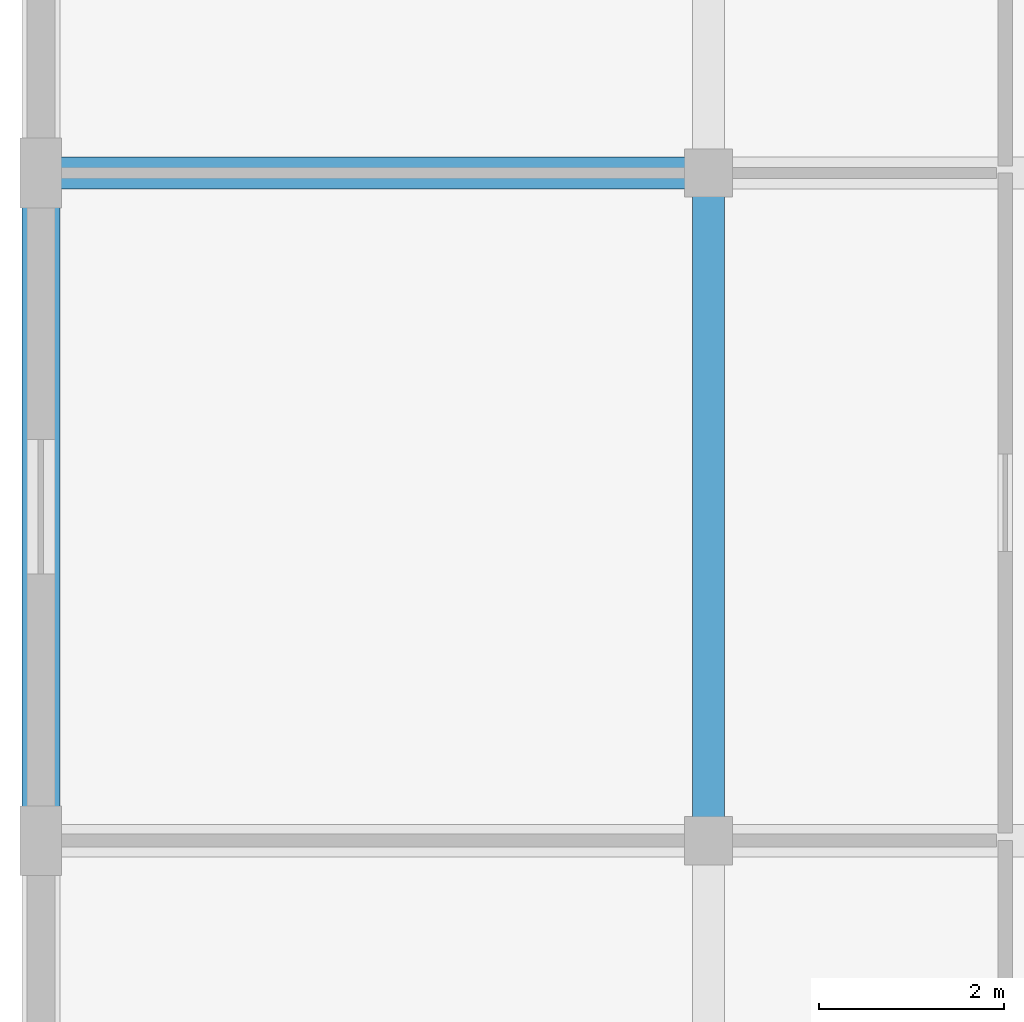
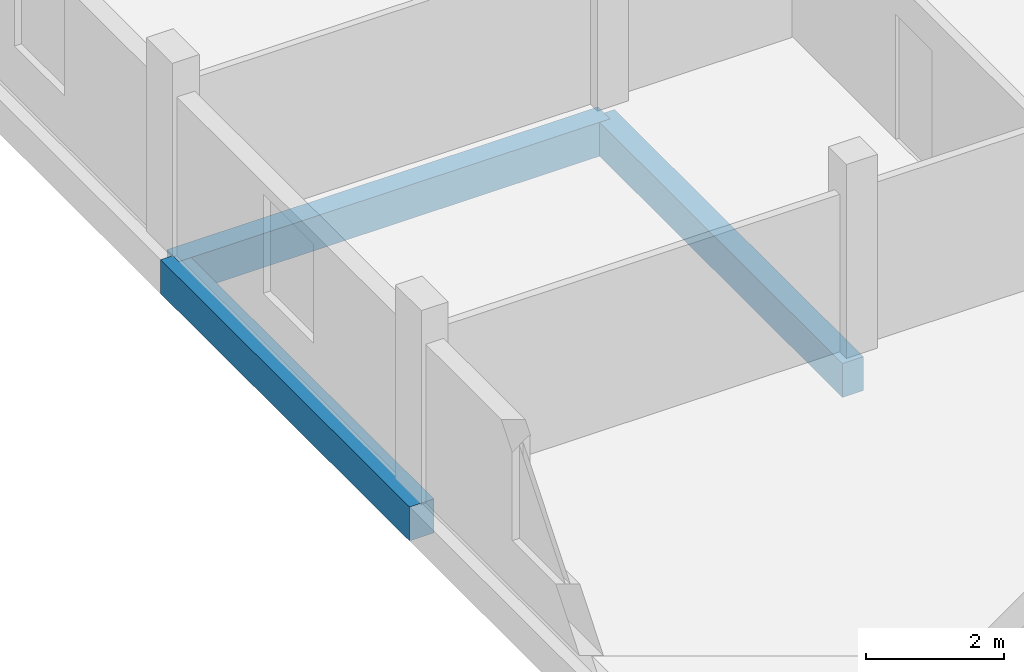
# One storey, part 7 of 26: 3 beams.
"""IFC4 building model written with IfcOpenShell, lengths in metres."""

from ifc_helpers import new_model, si_unit, direction, frame, origin, origin_2d, place, context, subcontext, project, spatial, rectangle, extrude, material, material_profile, profile_set, type_object, element, save


model = new_model("IFC4")

# Units and contexts
model_context = context("Model", 3, precision=1e-05, world=origin(), true_north=direction((0.0, 1.0)))
body_context = subcontext(model_context, "Body", "Model", "MODEL_VIEW")
ifc_project = project(units=[si_unit("LENGTHUNIT", "METRE"), si_unit("AREAUNIT", "SQUARE_METRE"), si_unit("VOLUMEUNIT", "CUBIC_METRE"), si_unit("PLANEANGLEUNIT", "RADIAN"), si_unit("MASSUNIT", "GRAM", prefix="KILO")], contexts=[model_context])

# Site, building, storey
site_placement = place(None, origin())
site = spatial("IfcSite", under=ifc_project, at=site_placement, CompositionType="ELEMENT")
building_placement = place(site_placement, origin())
building = spatial("IfcBuilding", under=site, at=building_placement, Name="Zornivar Specialist Clinic", CompositionType="ELEMENT")
storey_placement = place(building_placement, frame((0.0, 0.0, 19.699951171875)))
storey = spatial("IfcBuildingStorey", under=building, at=storey_placement, Name="L05", CompositionType="ELEMENT", Elevation=19.699951171875)

# Beams
ifc_material_1 = material(Name="Concrete C30/37", Category="concrete")
ifc_material_profile_1 = material_profile(ifc_material_1, rectangle(XDim=0.35009765625, YDim=0.60009765625, at=origin_2d()), Name="RC 350x600")
ifc_profile_set_1 = profile_set([ifc_material_profile_1], Name="Concrete C30/37")
beam_type_1 = type_object("IfcBeamType", Name="BM-RC-350x600", PredefinedType="BEAM", material=ifc_profile_set_1)
beam_1_placement = place(storey_placement, frame((0.0, 21.60009765625, -0.579833984375), z_axis=(1.0, 0.0, 0.0), x_axis=(0.0, 1.0, 0.0)))
element("IfcBeam", 1, at=beam_1_placement, inside=storey, type_object=beam_type_1, Name="bm:V2:L05:x:216:0", PredefinedType="BEAM", context=body_context, shape_type="SweptSolid", body=[
    extrude(rectangle(XDim=0.35009765625, YDim=0.60009765625, at=origin_2d()), origin(), (0.0, 0.0, 1.0), 7.199951171875),
])
beam_2_placement = place(storey_placement, frame((7.199951171875, 14.39990234375, -0.579833984375), z_axis=(0.0, 1.0, 0.0), x_axis=(-1.0, 0.0, 0.0)))
element("IfcBeam", 2, at=beam_2_placement, inside=storey, type_object=beam_type_1, Name="bm:V2:L05:y:72:2", PredefinedType="BEAM", context=body_context, shape_type="SweptSolid", body=[
    extrude(rectangle(XDim=0.35009765625, YDim=0.60009765625, at=origin_2d()), origin(), (0.0, 0.0, 1.0), 7.2001953125),
])
ifc_material_2 = material(Name="Concrete C30/37", Category="concrete")
ifc_material_profile_2 = material_profile(ifc_material_2, rectangle(XDim=0.409912109375, YDim=0.60009765625, at=origin_2d()), Name="RC 410x600")
ifc_profile_set_2 = profile_set([ifc_material_profile_2], Name="Concrete C30/37")
beam_type_2 = type_object("IfcBeamType", Name="BM-RC-SPANDREL-410x600", PredefinedType="SPANDREL", material=ifc_profile_set_2)
beam_3_placement = place(storey_placement, frame((0.0, 14.39990234375, -0.579833984375), z_axis=(0.0, 1.0, 0.0), x_axis=(-1.0, 0.0, 0.0)))
element("IfcBeam", 3, at=beam_3_placement, inside=storey, type_object=beam_type_2, Name="bm:V2:L05:y:0:2", PredefinedType="SPANDREL", context=body_context, shape_type="SweptSolid", body=[
    extrude(rectangle(XDim=0.409912109375, YDim=0.60009765625, at=origin_2d()), origin(), (0.0, 0.0, 1.0), 7.2001953125),
])

save(model, "model.ifc")
